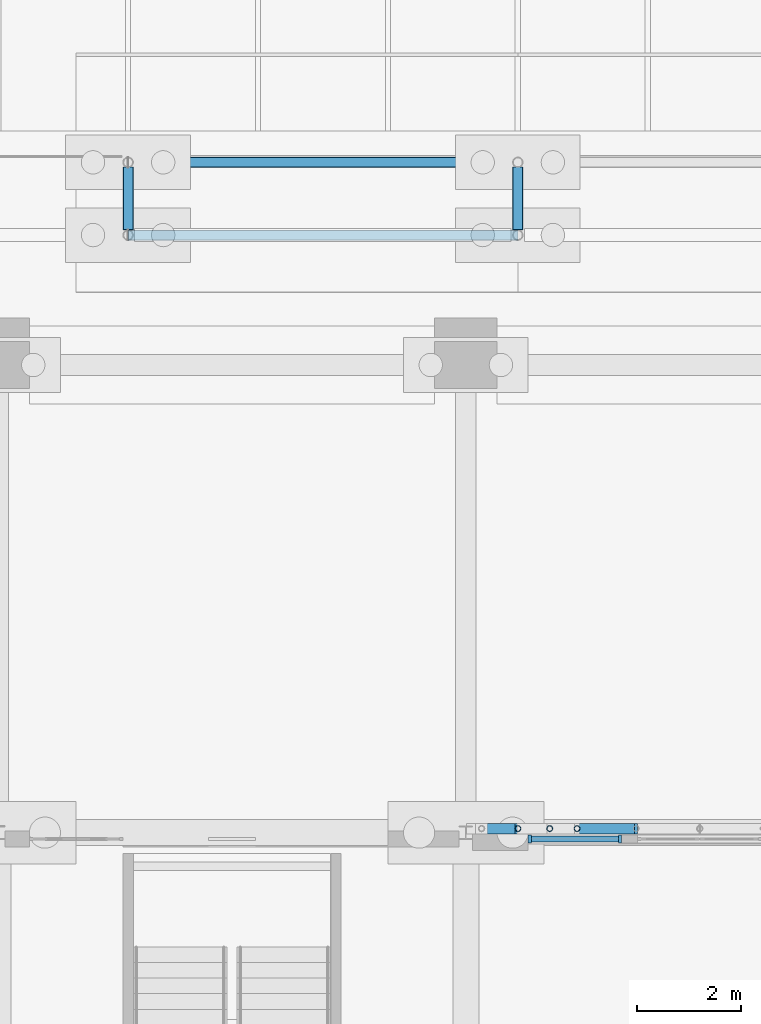
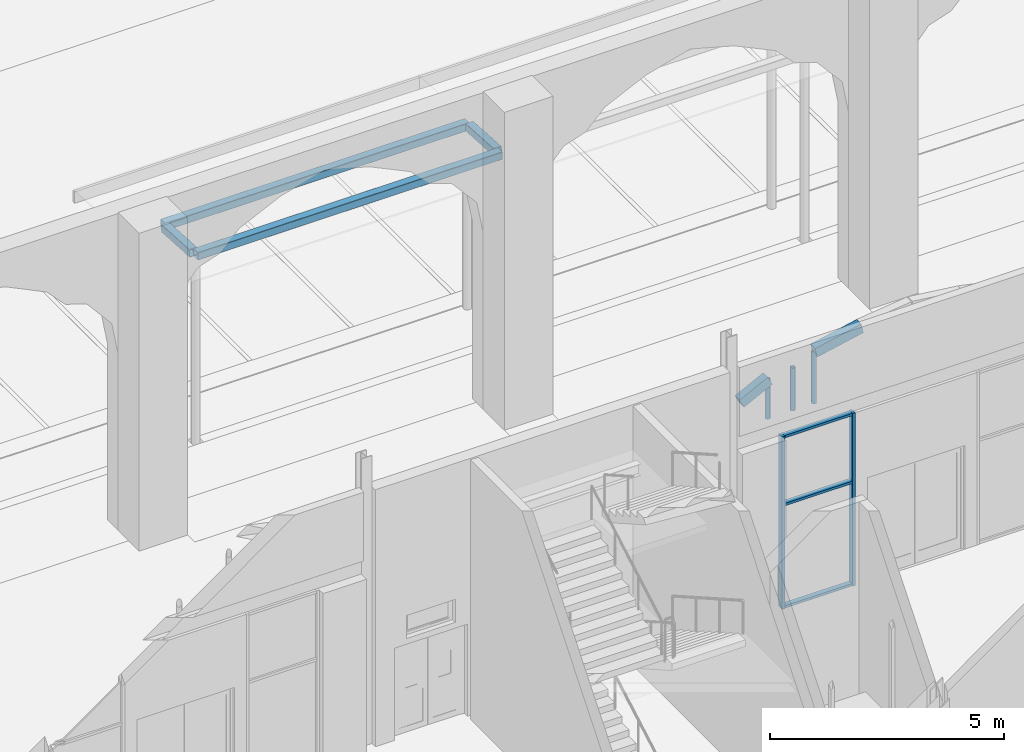
# One storey, part 55 of 250: 8 members, 6 beams, 1 element without a shape of its own.
"""IFC4 building model written with IfcOpenShell, lengths in metres."""

from ifc_helpers import new_model, si_unit, direction, frame, origin, origin_2d, place, context, subcontext, project, spatial, rectangle, hollow_rectangle, hollow_circle, extrude, material, material_profile, profile_set, type_object, element, aggregate, save


model = new_model("IFC4")

# Units and contexts
model_context = context("Model", 3, precision=1e-05, world=origin(), true_north=direction((0.0, 1.0)))
body_context = subcontext(model_context, "Body", "Model", "MODEL_VIEW")
ifc_project = project(units=[si_unit("LENGTHUNIT", "METRE"), si_unit("AREAUNIT", "SQUARE_METRE"), si_unit("VOLUMEUNIT", "CUBIC_METRE"), si_unit("PLANEANGLEUNIT", "RADIAN"), si_unit("MASSUNIT", "GRAM", prefix="KILO")], contexts=[model_context])

# Site, building, storey
site_placement = place(None, origin())
site = spatial("IfcSite", under=ifc_project, at=site_placement, CompositionType="ELEMENT")
building_placement = place(site_placement, origin())
building = spatial("IfcBuilding", under=site, at=building_placement, Name="Baradari Gate Terminus", CompositionType="ELEMENT")
storey_placement = place(building_placement, origin())
storey = spatial("IfcBuildingStorey", under=building, at=storey_placement, Name="L00", CompositionType="ELEMENT", Elevation=0.0)

# Members
ifc_material_1 = material(Name="Steel S355", Category="steel")
ifc_material_profile_1 = material_profile(ifc_material_1, hollow_circle(Radius=0.05712890625, WallThickness=0.00634765625, at=origin_2d()), Name="CHS 114.3x6.3")
ifc_profile_set_1 = profile_set([ifc_material_profile_1], Name="Steel S355")
member_type_1 = type_object("IfcMemberType", Name="Arcade arch post SP-2 114x6.3", PredefinedType="POST", material=ifc_profile_set_1)
member_1_placement = place(storey_placement, frame((190.00244140625, 108.07861328125, 4.89990234375), z_axis=(0.0, 0.0, 1.0), x_axis=(1.0, 0.0, 0.0)))
element("IfcMember", 1, at=member_1_placement, inside=storey, type_object=member_type_1, Name="Arcade arch post 21.3", PredefinedType="POST", context=body_context, shape_type="SweptSolid", body=[
    extrude(hollow_circle(Radius=0.05712890625, WallThickness=0.00634765625, at=origin_2d()), origin(), (0.0, 0.0, 1.0), 1.02587890625),
])
member_2_placement = place(storey_placement, frame((190.614501953125, 108.07861328125, 4.89990234375), z_axis=(0.0, 0.0, 1.0), x_axis=(1.0, 0.0, 0.0)))
element("IfcMember", 2, at=member_2_placement, inside=storey, type_object=member_type_1, Name="Arcade arch post 21.4", PredefinedType="POST", context=body_context, shape_type="SweptSolid", body=[
    extrude(hollow_circle(Radius=0.05712890625, WallThickness=0.00634765625, at=origin_2d()), origin(), (0.0, 0.0, 1.0), 1.115478515625),
])
member_3_placement = place(storey_placement, frame((191.13916015625, 108.07861328125, 4.89990234375), z_axis=(0.0, 0.0, 1.0), x_axis=(1.0, 0.0, 0.0)))
element("IfcMember", 3, at=member_3_placement, inside=storey, type_object=member_type_1, Name="Arcade arch post 21.5", PredefinedType="POST", context=body_context, shape_type="SweptSolid", body=[
    extrude(hollow_circle(Radius=0.05712890625, WallThickness=0.00634765625, at=origin_2d()), origin(), (0.0, 0.0, 1.0), 1.354248046875),
])

# Beams
ifc_material_2 = material(Name="Concrete C40/50 precast", Category="concrete")
ifc_material_profile_2 = material_profile(ifc_material_2, rectangle(XDim=0.199951171875, YDim=0.25, at=origin_2d()), Name="AB-1 200X250")
ifc_profile_set_2 = profile_set([ifc_material_profile_2], Name="Concrete C40/50 precast")
beam_type_1 = type_object("IfcBeamType", Name="Arcade arch segment AB-1 200x250", PredefinedType="BEAM", material=ifc_profile_set_2)
beam_1_placement = place(storey_placement, frame((189.302978515625, 108.07861328125, 5.56787109375), z_axis=(0.89022472097, 0.0, 0.455521619875), x_axis=(0.0, 1.0, 0.0)))
element("IfcBeam", 4, at=beam_1_placement, inside=storey, type_object=beam_type_1, Name="Arcade arch AB-1 bay 21 segment 2", PredefinedType="BEAM", context=body_context, shape_type="SweptSolid", body=[
    extrude(rectangle(XDim=0.199951171875, YDim=0.25, at=origin_2d()), origin(), (0.0, 0.0, 1.0), 0.78564453125),
])
beam_2_placement = place(storey_placement, frame((191.13916015625, 108.07861328125, 6.254150390625), z_axis=(0.978643349291, 0.0, 0.205565548885), x_axis=(0.0, 1.0, 0.0)))
element("IfcBeam", 5, at=beam_2_placement, inside=storey, type_object=beam_type_1, Name="Arcade arch AB-1 bay 21 segment 5", PredefinedType="BEAM", context=body_context, shape_type="SweptSolid", body=[
    extrude(rectangle(XDim=0.199951171875, YDim=0.25, at=origin_2d()), origin(), (0.0, 0.0, 1.0), 1.16162109375),
])

# Curtain wall, members
ifc_material_3 = material(Name="Aluminium 6063-T6", Category="aluminium")
curtain_wall_type = type_object("IfcCurtainWallType", Name="Curtain wall CW-2 shopfront", PredefinedType="NOTDEFINED", material=ifc_material_3)
curtain_wall_placement = place(storey_placement, origin())
curtain_wall = element("IfcCurtainWall", 6, at=curtain_wall_placement, inside=storey, type_object=curtain_wall_type, Name="Shopfront curtain wall CW-2 HN bay 21 L00", PredefinedType="NOTDEFINED")
ifc_material_4 = material(Name="Aluminium 6063-T6", Category="aluminium")
ifc_material_profile_3 = material_profile(ifc_material_4, rectangle(XDim=0.14990234375, YDim=0.06494140625, at=origin_2d()), Name="CM-2 65X150")
ifc_profile_set_3 = profile_set([ifc_material_profile_3], Name="Aluminium 6063-T6")
member_type_2 = type_object("IfcMemberType", Name="Curtain wall mullion CM-2 65x150", PredefinedType="MULLION", material=ifc_profile_set_3)
member_4_placement = place(storey_placement, frame((190.232421875, 107.87841796875, 0.0), z_axis=(0.0, 0.0, 1.0), x_axis=(0.0, 1.0, 0.0)))
member_4 = element("IfcMember", 7, at=member_4_placement, type_object=member_type_2, Name="CW-2 mullion 1", PredefinedType="MULLION", context=body_context, shape_type="SweptSolid", body=[
    extrude(rectangle(XDim=0.14990234375, YDim=0.06494140625, at=origin_2d()), origin(), (0.0, 0.0, 1.0), 4.5),
])
member_5_placement = place(storey_placement, frame((191.967529296875, 107.87841796875, 0.0), z_axis=(0.0, 0.0, 1.0), x_axis=(0.0, 1.0, 0.0)))
member_5 = element("IfcMember", 8, at=member_5_placement, type_object=member_type_2, Name="CW-2 mullion 2", PredefinedType="MULLION", context=body_context, shape_type="SweptSolid", body=[
    extrude(rectangle(XDim=0.14990234375, YDim=0.06494140625, at=origin_2d()), origin(), (0.0, 0.0, 1.0), 4.5),
])
ifc_material_5 = material(Name="Aluminium 6063-T6", Category="aluminium")
ifc_material_profile_4 = material_profile(ifc_material_5, rectangle(XDim=0.1201171875, YDim=0.06494140625, at=origin_2d()), Name="CT-2 65X120")
ifc_profile_set_4 = profile_set([ifc_material_profile_4], Name="Aluminium 6063-T6")
member_type_3 = type_object("IfcMemberType", Name="Curtain wall transom CT-2 65x120", PredefinedType="USERDEFINED", material=ifc_profile_set_4)
member_6_placement = place(storey_placement, frame((190.264892578125, 107.87841796875, 0.032470703125), z_axis=(1.0, 0.0, 0.0), x_axis=(0.0, 1.0, 0.0)))
member_6 = element("IfcMember", 9, at=member_6_placement, type_object=member_type_3, Name="CW-2 transom 1.1", ObjectType="TRANSOM", PredefinedType="USERDEFINED", context=body_context, shape_type="SweptSolid", body=[
    extrude(rectangle(XDim=0.1201171875, YDim=0.06494140625, at=origin_2d()), origin(), (0.0, 0.0, 1.0), 1.670166015625),
])
member_7_placement = place(storey_placement, frame((190.264892578125, 107.87841796875, 2.699951171875), z_axis=(1.0, 0.0, 0.0), x_axis=(0.0, 1.0, 0.0)))
member_7 = element("IfcMember", 10, at=member_7_placement, type_object=member_type_3, Name="CW-2 transom 1.2", ObjectType="TRANSOM", PredefinedType="USERDEFINED", context=body_context, shape_type="SweptSolid", body=[
    extrude(rectangle(XDim=0.1201171875, YDim=0.06494140625, at=origin_2d()), origin(), (0.0, 0.0, 1.0), 1.670166015625),
])
member_8_placement = place(storey_placement, frame((190.264892578125, 107.87841796875, 4.467529296875), z_axis=(1.0, 0.0, 0.0), x_axis=(0.0, 1.0, 0.0)))
member_8 = element("IfcMember", 11, at=member_8_placement, type_object=member_type_3, Name="CW-2 transom 1.3", ObjectType="TRANSOM", PredefinedType="USERDEFINED", context=body_context, shape_type="SweptSolid", body=[
    extrude(rectangle(XDim=0.1201171875, YDim=0.06494140625, at=origin_2d()), origin(), (0.0, 0.0, 1.0), 1.670166015625),
])
aggregate(curtain_wall, [member_4, member_5, member_6, member_7, member_8])

# Beams
ifc_material_6 = material(Name="Steel S355", Category="steel")
ifc_material_profile_5 = material_profile(ifc_material_6, hollow_rectangle(XDim=0.199951171875, YDim=0.199951171875, WallThickness=0.008056640625, InnerFilletRadius=0.008056640625, OuterFilletRadius=0.01611328125, at=origin_2d()), Name="SHS 200x200x8")
ifc_profile_set_5 = profile_set([ifc_material_profile_5], Name="Steel S355")
beam_type_2 = type_object("IfcBeamType", Name="Shelter edge beam SHS 200x200x8", PredefinedType="BEAM", material=ifc_profile_set_5)
for number, where, z_axis, x_axis, name in (
    (12, (182.5, 119.5, 4.860107421875), (1.0, 0.0, 0.0), (0.0, 1.0, 0.0), "Taxi shelter edge beam 1.1"),
    (13, (182.5, 120.89990234375, 4.776123046875), (1.0, 0.0, 0.0), (0.0, 1.0, 0.0), "Taxi shelter edge beam 2.1"),
):
    element("IfcBeam", number, at=place(storey_placement, frame(where, z_axis=z_axis, x_axis=x_axis)), inside=storey, type_object=beam_type_2, Name=name, PredefinedType="BEAM", context=body_context, shape_type="SweptSolid", body=[
        extrude(hollow_rectangle(XDim=0.199951171875, YDim=0.199951171875, WallThickness=0.008056640625, InnerFilletRadius=0.008056640625, OuterFilletRadius=0.01611328125, at=origin_2d()), origin(), (0.0, 0.0, 1.0), 7.5),
    ])
for number, where, z_axis, x_axis, name in (
    (14, (182.5, 119.60009765625, 4.85400390625), (0.0, 0.998203631072, -0.059912527196), (-1.0, 0.0, 0.0), "Taxi shelter cross beam 1"),
    (15, (190.0, 119.60009765625, 4.85400390625), (0.0, 0.998203631072, -0.059912527196), (-1.0, 0.0, 0.0), "Taxi shelter cross beam 2"),
):
    element("IfcBeam", number, at=place(storey_placement, frame(where, z_axis=z_axis, x_axis=x_axis)), inside=storey, type_object=beam_type_2, Name=name, PredefinedType="BEAM", context=body_context, shape_type="SweptSolid", body=[
        extrude(hollow_rectangle(XDim=0.199951171875, YDim=0.199951171875, WallThickness=0.008056640625, InnerFilletRadius=0.008056640625, OuterFilletRadius=0.01611328125, at=origin_2d()), origin(), (0.0, 0.0, 1.0), 1.2021484375),
    ])

save(model, "model.ifc")
